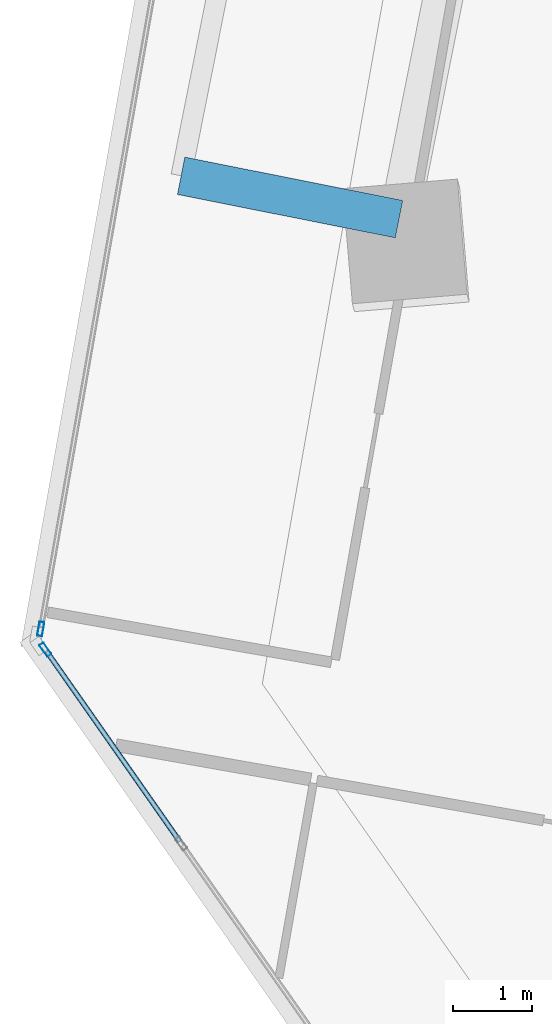
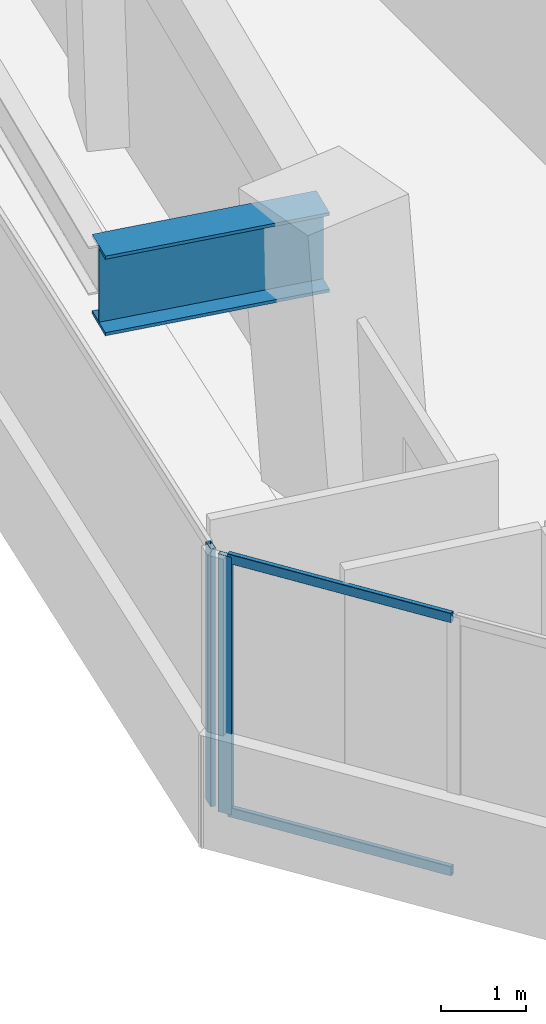
# One storey, part 3 of 24: 4 members, 1 beam, 2 elements without a shape of their own.
"""IFC4 building model written with IfcOpenShell, lengths in metres."""

import ifcopenshell
import ifcopenshell.guid

model = None  # the IFC model being written
_history = None  # IfcOwnerHistory: only IFC2X3 demands one
_inside = {}  # id of a spatial element -> (the spatial element, [elements in it])
_under = {}  # id of a project, library or spatial element -> (it, [spatial elements below it])
_declared = {}  # id of a project -> (the project, [libraries it declares])
_typed = {}  # id of a type object -> (the type object, [elements of that type])
_made_of = {}  # id of a material, layer set ... -> (it, [elements and type objects made of it])


def new_model(schema):
    """Start an empty IFC model of exactly this schema.

    Asked for "IFC4X3", IfcOpenShell would pick the latest addendum, in which some entities
    have other attributes; the version numbers below select the first issue.
    IFC2X3 requires an IfcOwnerHistory on every rooted entity: one is made here for all.
    """
    global model, _history
    if schema == "IFC4X3":
        model = ifcopenshell.file(schema_version=(4, 3, 0, 0))
    else:
        model = ifcopenshell.file(schema=schema)
    _inside.clear()
    _under.clear()
    _declared.clear()
    _typed.clear()
    _made_of.clear()
    _history = None
    if model.schema == "IFC2X3":
        org = make("IfcOrganization", Name="unknown")
        user = make(
            "IfcPersonAndOrganization",
            ThePerson=make("IfcPerson", FamilyName="unknown"),
            TheOrganization=org,
        )
        app = make(
            "IfcApplication",
            ApplicationDeveloper=org,
            Version="unknown",
            ApplicationFullName="unknown",
            ApplicationIdentifier="unknown",
        )
        _history = make(
            "IfcOwnerHistory",
            OwningUser=user,
            OwningApplication=app,
            ChangeAction="ADDED",
            CreationDate=0,
        )
    return model


def make(cls, **values):
    """One entity of the class cls with the attributes given. An attribute that is None is left unset."""
    return model.create_entity(
        cls, **{name: value for name, value in values.items() if value is not None}
    )


def rooted(cls, **values):
    """An entity with a GlobalId (a new one), such as an element, a storey or a relation."""
    return make(cls, GlobalId=ifcopenshell.guid.new(), OwnerHistory=_history, **values)


def si_unit(unit_type, name, prefix=None):
    """IfcSIUnit, for example si_unit("LENGTHUNIT", "METRE", prefix="MILLI")."""
    return make("IfcSIUnit", UnitType=unit_type, Prefix=prefix, Name=name)


def assignment(units):
    """IfcUnitAssignment: the units of a project."""
    return None if units is None else make("IfcUnitAssignment", Units=units)


def point(xyz):
    """IfcCartesianPoint."""
    return None if xyz is None else make("IfcCartesianPoint", Coordinates=xyz)


def direction(xyz):
    """IfcDirection."""
    return None if xyz is None else make("IfcDirection", DirectionRatios=xyz)


def frame(location, z_axis=None, x_axis=None):
    """IfcAxis2Placement3D, a coordinate frame: its origin and axes. An axis left out is left unset."""
    return make(
        "IfcAxis2Placement3D",
        Location=point(location),
        Axis=direction(z_axis),
        RefDirection=direction(x_axis),
    )


def frame_2d(location, x_axis=None):
    """IfcAxis2Placement2D, a coordinate frame in the plane: its origin and x axis."""
    return make(
        "IfcAxis2Placement2D", Location=point(location), RefDirection=direction(x_axis)
    )


def origin():
    """The frame at (0, 0, 0) with its axes left unset."""
    return frame((0.0, 0.0, 0.0))


def origin_2d():
    """The frame at (0, 0) in the plane with its x axis left unset."""
    return frame_2d((0.0, 0.0))


def place(relative_to, where):
    """IfcLocalPlacement: puts the frame where relative to a parent placement (None: the world)."""
    return make(
        "IfcLocalPlacement", PlacementRelTo=relative_to, RelativePlacement=where
    )


def context(
    kind, dimensions, precision=None, world=None, true_north=None, identifier=None
):
    """IfcGeometricRepresentationContext, for example the 3D "Model" context."""
    return make(
        "IfcGeometricRepresentationContext",
        ContextIdentifier=identifier,
        ContextType=kind,
        CoordinateSpaceDimension=dimensions,
        Precision=precision,
        WorldCoordinateSystem=world,
        TrueNorth=true_north,
    )


def subcontext(parent, identifier, kind, view, scale=None):
    """IfcGeometricRepresentationSubContext, for example "Body" below "Model"."""
    return make(
        "IfcGeometricRepresentationSubContext",
        ContextIdentifier=identifier,
        ContextType=kind,
        ParentContext=parent,
        TargetScale=scale,
        TargetView=view,
    )


def project(units=None, contexts=None):
    """IfcProject with its units and contexts."""
    return rooted(
        "IfcProject",
        Name="project",
        RepresentationContexts=contexts,
        UnitsInContext=assignment(units),
    )


def spatial(cls, under=None, at=None, **own):
    """A site, building, storey or space (cls), placed at a placement, below another one or the project."""
    s = rooted(cls, ObjectPlacement=at, **own)
    if under is not None:
        _under.setdefault(under.id(), (under, []))[1].append(s)
    return s


def profile(cls, at=None, kind="AREA", **sizes):
    """A parametric profile (cls). Its sizes go by their IFC names, for example OverallWidth=200.0."""
    return make(cls, ProfileType=kind, Position=at, **sizes)


def hollow_rectangle(**sizes):
    """IfcRectangleHollowProfileDef."""
    return profile("IfcRectangleHollowProfileDef", **sizes)


def i_section(**sizes):
    """IfcIShapeProfileDef."""
    return profile("IfcIShapeProfileDef", **sizes)


def extrude(swept, where, along, depth):
    """IfcExtrudedAreaSolid: the profile swept, set in the frame where, extruded along a direction by depth."""
    return make(
        "IfcExtrudedAreaSolid",
        SweptArea=swept,
        Position=where,
        ExtrudedDirection=direction(along),
        Depth=depth,
    )


def shape(context_of_items, identifier, shape_type, items):
    """IfcShapeRepresentation: the items that make up one representation, for example the "Body"."""
    return make(
        "IfcShapeRepresentation",
        ContextOfItems=context_of_items,
        RepresentationIdentifier=identifier,
        RepresentationType=shape_type,
        Items=items,
    )


def source(mapping_origin, context_of_items, identifier, shape_type, items):
    """IfcRepresentationMap: a shape defined once, which mapped items show again and again."""
    return make(
        "IfcRepresentationMap",
        MappingOrigin=mapping_origin,
        MappedRepresentation=shape(context_of_items, identifier, shape_type, items),
    )


def transform(
    local_origin,
    x_axis=None,
    y_axis=None,
    z_axis=None,
    scale=None,
    scale2=None,
    scale3=None,
    uniform=True,
):
    """IfcCartesianTransformationOperator3D, or its non-uniform kind. x_axis, y_axis, z_axis: its Axis1, 2, 3."""
    if uniform:
        return make(
            "IfcCartesianTransformationOperator3D",
            Axis1=direction(x_axis),
            Axis2=direction(y_axis),
            LocalOrigin=point(local_origin),
            Scale=scale,
            Axis3=direction(z_axis),
        )
    return make(
        "IfcCartesianTransformationOperator3DnonUniform",
        Axis1=direction(x_axis),
        Axis2=direction(y_axis),
        LocalOrigin=point(local_origin),
        Scale=scale,
        Axis3=direction(z_axis),
        Scale2=scale2,
        Scale3=scale3,
    )


def mapped(mapping_source, mapping_target):
    """IfcMappedItem: shows the shape of a source again, moved by a transform."""
    return make(
        "IfcMappedItem", MappingSource=mapping_source, MappingTarget=mapping_target
    )


def material(Name=None, Category=None):
    """IfcMaterial."""
    return make("IfcMaterial", Name=Name, Category=Category)


def material_profile(
    of_material, cross_section, Name=None, Category=None, Priority=None
):
    """IfcMaterialProfile: a cross section and its material."""
    return make(
        "IfcMaterialProfile",
        Name=Name,
        Material=of_material,
        Profile=cross_section,
        Priority=Priority,
        Category=Category,
    )


def profile_set(profiles, Name=None, composite=None):
    """IfcMaterialProfileSet."""
    return make(
        "IfcMaterialProfileSet",
        Name=Name,
        MaterialProfiles=profiles,
        CompositeProfile=composite,
    )


def made_of(thing, what):
    """Note that an element or type object is made of a material, layer set ...; save() writes the relation."""
    if what is not None:
        _made_of.setdefault(what.id(), (what, []))[1].append(thing)
    return thing


def type_object(cls, material=None, **own):
    """A type object (cls), such as IfcWallType, which elements share."""
    return made_of(rooted(cls, **own), material)


def element(
    cls,
    number,
    at=None,
    inside=None,
    cuts=None,
    type_object=None,
    material=None,
    context=None,
    identifier="Body",
    shape_type=None,
    held_by="IfcProductDefinitionShape",
    body=None,
    shapes=None,
    **own,
):
    """One element of the class cls, such as IfcWall. Its Tag is "e" and its number.

    at: its placement. inside: the storey or other place that contains it. cuts: it is an
    opening in that element (IfcRelVoidsElement). A single representation is given by context,
    identifier, shape_type and body (its items); several are given by shapes. held_by: the class
    of the entity that holds the representations. save() writes the other relations.
    """
    e = rooted(cls, Tag="e%d" % number, ObjectPlacement=at, **own)
    if body is not None:
        shapes = [shape(context, identifier, shape_type, body)]
    if shapes is not None:
        e.Representation = make(held_by, Representations=shapes)
    if inside is not None:
        _inside.setdefault(inside.id(), (inside, []))[1].append(e)
    if cuts is not None:
        rooted(
            "IfcRelVoidsElement", RelatingBuildingElement=cuts, RelatedOpeningElement=e
        )
    if type_object is not None:
        _typed.setdefault(type_object.id(), (type_object, []))[1].append(e)
    return made_of(e, material)


def aggregate(whole, parts):
    """IfcRelAggregates: a whole, such as a stair, and the parts it consists of."""
    return rooted("IfcRelAggregates", RelatingObject=whole, RelatedObjects=parts)


def save(model, path):
    """Write the relations noted so far, then the file.

    IfcRelAggregates (storeys below a building ...), IfcRelContainedInSpatialStructure (elements
    in a storey), IfcRelDefinesByType, IfcRelAssociatesMaterial and IfcRelDeclares: one each for
    every whole, place, type object, material and project.
    """
    for whole, parts in _under.values():
        aggregate(whole, parts)
    for where, things in _inside.values():
        rooted(
            "IfcRelContainedInSpatialStructure",
            RelatedElements=things,
            RelatingStructure=where,
        )
    for kind, things in _typed.values():
        rooted("IfcRelDefinesByType", RelatedObjects=things, RelatingType=kind)
    for what, things in _made_of.values():
        rooted("IfcRelAssociatesMaterial", RelatedObjects=things, RelatingMaterial=what)
    for by, libraries in _declared.values():
        rooted("IfcRelDeclares", RelatingContext=by, RelatedDefinitions=libraries)
    model.write(path)


model = new_model("IFC4")

# Units and contexts
model_context = context("Model", 3, precision=1e-05, world=origin(), true_north=direction((0.0, 1.0)))
body_context = subcontext(model_context, "Body", "Model", "MODEL_VIEW")
ifc_project = project(units=[si_unit("LENGTHUNIT", "METRE"), si_unit("AREAUNIT", "SQUARE_METRE"), si_unit("VOLUMEUNIT", "CUBIC_METRE"), si_unit("PLANEANGLEUNIT", "RADIAN"), si_unit("MASSUNIT", "GRAM", prefix="KILO")], contexts=[model_context])

# Site, building, storey
site_placement = place(None, origin())
site = spatial("IfcSite", under=ifc_project, at=site_placement, CompositionType="ELEMENT")
building_placement = place(site_placement, origin())
building = spatial("IfcBuilding", under=site, at=building_placement, Name="Torre Montelarca", CompositionType="ELEMENT")
storey_placement = place(building_placement, frame((0.0, 0.0, 79.0)))
storey = spatial("IfcBuildingStorey", under=building, at=storey_placement, Name="L17", CompositionType="ELEMENT", Elevation=79.0)

# Beam
ifc_material_1 = material(Name="Steel ASTM A572 Grade 50", Category="steel")
ifc_material_profile_1 = material_profile(ifc_material_1, i_section(OverallWidth=0.47998046875, OverallDepth=1.14990234375, WebThickness=0.02197265625, FlangeThickness=0.044921875, at=origin_2d()), Name="PG1150X480X22X45", Category="steel")
ifc_profile_set_1 = profile_set([ifc_material_profile_1], Name="Steel ASTM A572 Grade 50")
beam_type = type_object("IfcBeamType", Name="BM-CG-PG1400-EXT", PredefinedType="USERDEFINED", material=ifc_profile_set_1)
shared_shape_1 = source(origin(), body_context, "Body", "SweptSolid", [
    extrude(i_section(OverallWidth=0.47998046875, OverallDepth=1.14990234375, WebThickness=0.02197265625, FlangeThickness=0.044921875, at=origin_2d()), origin(), (0.0, 0.0, 1.0), 2.800048828125),
])
beam_placement = place(storey_placement, frame((3.4130859375, 27.44091796875, 3.385009765625), z_axis=(-0.98077802643, 0.195126786661, 0.0), x_axis=(-0.195126786661, -0.98077802643, 0.0)))
element("IfcBeam", 1, at=beam_placement, inside=storey, type_object=beam_type, Name="L17 Sliding Tray Cantilever Girder West Y=24.0m (FLR)", ObjectType="CANTILEVER GIRDER", PredefinedType="USERDEFINED", context=body_context, shape_type="MappedRepresentation", body=[
    mapped(shared_shape_1, transform((0.0, 0.0, 0.0), scale=1.0)),
])

# Curtain wall, members
ifc_material_2 = material(Name="Insulated low-E laminated glass", Category="glass")
curtain_wall_type = type_object("IfcCurtainWallType", Name="CW-SYS-Z1", PredefinedType="USERDEFINED", material=ifc_material_2)
curtain_wall_1_placement = place(storey_placement, origin())
curtain_wall_1 = element("IfcCurtainWall", 2, at=curtain_wall_1_placement, inside=storey, type_object=curtain_wall_type, Name="L17 Curtain Wall Run CW-T3-L17-E11-B1", ObjectType="UNITISED GLAZING", PredefinedType="USERDEFINED")
ifc_material_3 = material(Name="Anodised aluminium AA 6063-T6", Category="aluminium")
ifc_material_profile_2 = material_profile(ifc_material_3, hollow_rectangle(XDim=0.06494140625, YDim=0.139892578125, WallThickness=0.00390625, InnerFilletRadius=0.00390625, OuterFilletRadius=0.008056640625, at=origin_2d()), Name="ALU65X140X4", Category="aluminium")
ifc_profile_set_2 = profile_set([ifc_material_profile_2], Name="Anodised aluminium AA 6063-T6")
member_type_1 = type_object("IfcMemberType", Name="CWT-ALU140", PredefinedType="USERDEFINED", material=ifc_profile_set_2)
shared_shape_2 = source(origin(), body_context, "Body", "SweptSolid", [
    extrude(hollow_rectangle(XDim=0.06494140625, YDim=0.139892578125, WallThickness=0.00390625, InnerFilletRadius=0.00390625, OuterFilletRadius=0.008056640625, at=origin_2d()), origin(), (0.0, 0.0, 1.0), 2.918701171875),
])
member_1_placement = place(storey_placement, frame((-1.025634765625, 21.98828125, 0.032470703125), z_axis=(0.573569003746, -0.819157248605, 0.0), x_axis=(0.819157248605, 0.573569003746, 0.0)))
member_1 = element("IfcMember", 3, at=member_1_placement, type_object=member_type_1, Name="CW transom 1.1", ObjectType="TRANSOM", PredefinedType="USERDEFINED", context=body_context, shape_type="MappedRepresentation", body=[
    mapped(shared_shape_2, transform((0.0, 0.0, 0.0), scale=1.0)),
])
member_2_placement = place(storey_placement, frame((-1.025634765625, 21.98828125, 3.6875), z_axis=(0.573569003746, -0.819157248605, 0.0), x_axis=(0.819157248605, 0.573569003746, 0.0)))
member_2 = element("IfcMember", 4, at=member_2_placement, type_object=member_type_1, Name="CW transom 1.2", ObjectType="TRANSOM", PredefinedType="USERDEFINED", context=body_context, shape_type="MappedRepresentation", body=[
    mapped(shared_shape_2, transform((0.0, 0.0, 0.0), scale=1.0)),
])

# Curtain wall, member
curtain_wall_2_placement = place(storey_placement, origin())
curtain_wall_2 = element("IfcCurtainWall", 5, at=curtain_wall_2_placement, inside=storey, type_object=curtain_wall_type, Name="L17 Curtain Wall Run CW-T3-L17-E10-B1", ObjectType="UNITISED GLAZING", PredefinedType="USERDEFINED")
ifc_material_profile_3 = material_profile(ifc_material_3, hollow_rectangle(XDim=0.06494140625, YDim=0.179931640625, WallThickness=0.00390625, InnerFilletRadius=0.00390625, OuterFilletRadius=0.008056640625, at=origin_2d()), Name="ALU65X180X4", Category="aluminium")
ifc_profile_set_3 = profile_set([ifc_material_profile_3], Name="Anodised aluminium AA 6063-T6")
member_type_2 = type_object("IfcMemberType", Name="CWM-ALU180", PredefinedType="MULLION", material=ifc_profile_set_3)
shared_shape_3 = source(origin(), body_context, "Body", "SweptSolid", [
    extrude(hollow_rectangle(XDim=0.06494140625, YDim=0.179931640625, WallThickness=0.00390625, InnerFilletRadius=0.00390625, OuterFilletRadius=0.008056640625, at=origin_2d()), origin(), (0.0, 0.0, 1.0), 3.719970703125),
])
member_3_placement = place(storey_placement, frame((-1.10205078125, 22.275390625, 0.0), z_axis=(0.0, 0.0, 1.0), x_axis=(0.984808126187, -0.173646061274, 0.0)))
member_3 = element("IfcMember", 6, at=member_3_placement, type_object=member_type_2, Name="CW mullion 3", PredefinedType="MULLION", context=body_context, shape_type="MappedRepresentation", body=[
    mapped(shared_shape_3, transform((0.0, 0.0, 0.0), scale=1.0)),
])
aggregate(curtain_wall_2, [member_3])

# Member
member_4_placement = place(storey_placement, frame((-1.044189453125, 22.014892578125, 0.0), z_axis=(0.0, 0.0, 1.0), x_axis=(0.819173505874, 0.573545784811, 0.0)))
member_4 = element("IfcMember", 7, at=member_4_placement, type_object=member_type_2, Name="CW mullion 1", PredefinedType="MULLION", context=body_context, shape_type="MappedRepresentation", body=[
    mapped(shared_shape_3, transform((0.0, 0.0, 0.0), scale=1.0)),
])

aggregate(curtain_wall_1, [member_4, member_1, member_2])

save(model, "model.ifc")
